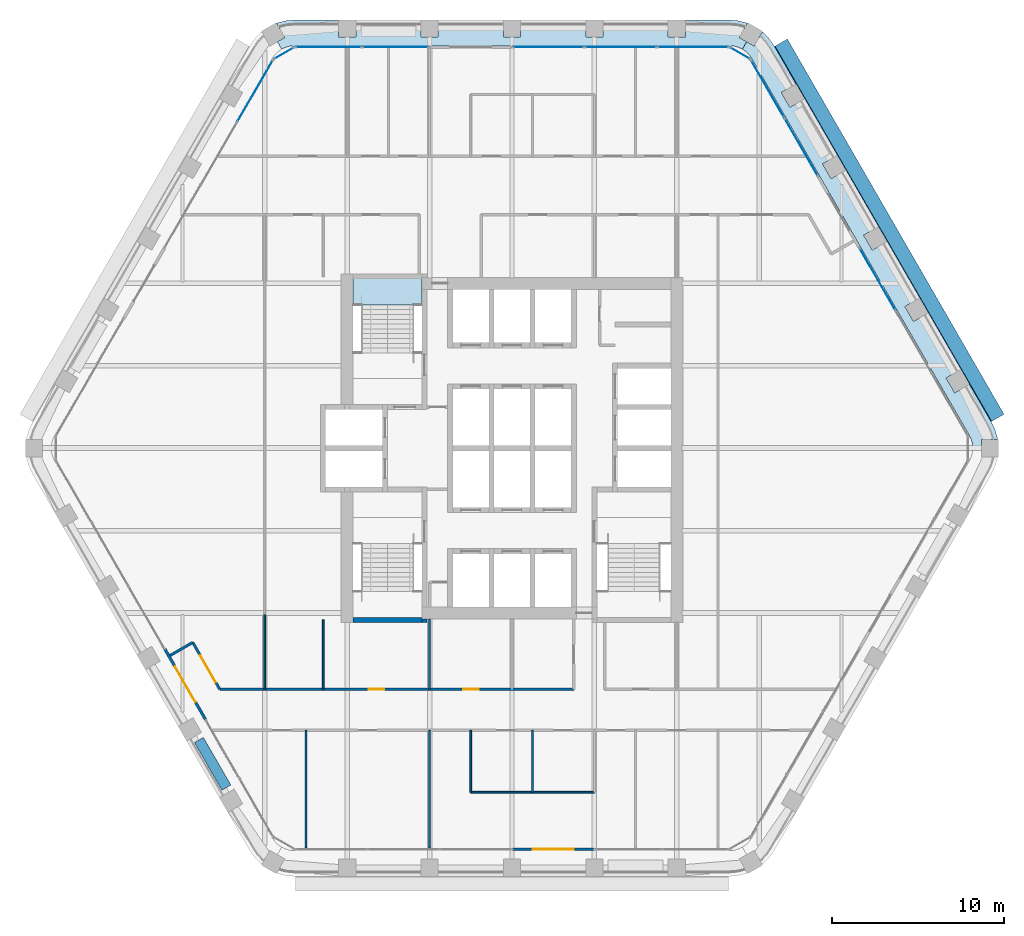
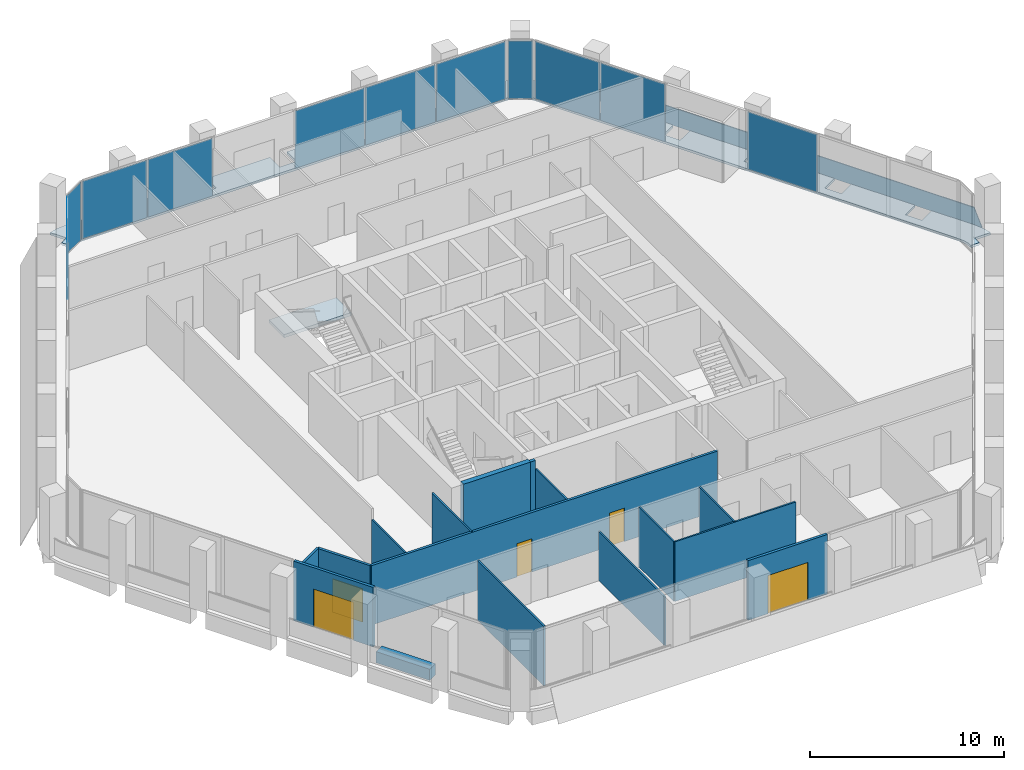
# One storey, part 8 of 15: 16 walls, 12 plates, 5 doors, 3 slabs, 5 openings, 8 elements without a shape of their own.
"""IFC4 building model written with IfcOpenShell, lengths in metres."""

from ifc_helpers import new_model, si_unit, direction, frame, frame_2d, origin, origin_2d, place, context, subcontext, project, spatial, polyline, rectangle, outline, extrude, material, layer, layer_set, type_object, element, fill, aggregate, save


model = new_model("IFC4")

# Units and contexts
model_context = context("Model", 3, precision=1e-05, world=origin(), true_north=direction((0.0, 1.0)))
body_context = subcontext(model_context, "Body", "Model", "MODEL_VIEW")
ifc_project = project(units=[si_unit("LENGTHUNIT", "METRE"), si_unit("AREAUNIT", "SQUARE_METRE"), si_unit("VOLUMEUNIT", "CUBIC_METRE"), si_unit("PLANEANGLEUNIT", "RADIAN"), si_unit("MASSUNIT", "GRAM", prefix="KILO")], contexts=[model_context])

# Site, building, storey
site_placement = place(None, origin())
site = spatial("IfcSite", under=ifc_project, at=site_placement, CompositionType="ELEMENT")
building_placement = place(site_placement, origin())
building = spatial("IfcBuilding", under=site, at=building_placement, Name="Kolab Exchange Tower", CompositionType="ELEMENT")
storey_placement = place(building_placement, frame((0.0, 0.0, 170.0)))
storey = spatial("IfcBuildingStorey", under=building, at=storey_placement, Name="L35", CompositionType="ELEMENT", Elevation=170.0)

# Slabs
ifc_material_1 = material(Name="Concrete C35/45", Category="concrete")
ifc_layer_1 = layer(ifc_material_1, 0.14990234375)
ifc_layer_set_1 = layer_set([ifc_layer_1], Name="Concrete C35/45")
slab_type_1 = type_object("IfcSlabType", Name="LOGGIA SLAB 150", PredefinedType="FLOOR", material=ifc_layer_set_1)
slab_1_placement = place(storey_placement, frame((0.0, 0.0, -0.14990234375)))
element("IfcSlab", 1, at=slab_1_placement, inside=storey, type_object=slab_type_1, Name="slab/L35/loggia/0-0", PredefinedType="FLOOR", context=body_context, shape_type="SweptSolid", body=[
    extrude(outline(polyline([(13.41796875, 23.240478515625), (13.66796875, 23.673583984375), (13.23486328125, 23.923583984375), (13.713134765625, 24.751708984375), (13.694091796875, 24.760498046875), (13.18896484375, 24.89599609375), (12.66796875, 24.941650390625), (10.10009765625, 24.941650390625), (10.10009765625, 23.941650390625), (9.10009765625, 23.941650390625), (9.10009765625, 24.941650390625), (5.300048828125, 24.941650390625), (5.300048828125, 23.941650390625), (4.300048828125, 23.941650390625), (4.300048828125, 24.941650390625), (0.5, 24.941650390625), (0.5, 23.941650390625), (-0.5, 23.941650390625), (-0.5, 24.941650390625), (-4.300048828125, 24.941650390625), (-4.300048828125, 23.941650390625), (-5.300048828125, 23.941650390625), (-5.300048828125, 24.941650390625), (-9.10009765625, 24.941650390625), (-9.10009765625, 23.941650390625), (-10.10009765625, 23.941650390625), (-10.10009765625, 24.941650390625), (-12.66796875, 24.941650390625), (-13.18896484375, 24.89599609375), (-13.694091796875, 24.760498046875), (-13.713134765625, 24.751708984375), (-13.23486328125, 23.923583984375), (-13.66796875, 23.673583984375), (-13.41796875, 23.240478515625), (-13.180908203125, 23.35107421875), (-12.928466796875, 23.418701171875), (-12.66796875, 23.441650390625), (12.66796875, 23.441650390625), (12.928466796875, 23.418701171875), (13.180908203125, 23.35107421875), (13.41796875, 23.240478515625)])), origin(), (0.0, 0.0, 1.0), 0.14990234375),
])
slab_2_placement = place(storey_placement, frame((0.0, 0.0, -0.14990234375)))
element("IfcSlab", 2, at=slab_2_placement, inside=storey, type_object=slab_type_1, Name="slab/L35/loggia/1-0", PredefinedType="FLOOR", context=body_context, shape_type="SweptSolid", body=[
    extrude(outline(polyline([(26.8359375, 0.0), (27.3359375, 0.0), (27.3359375, 0.5), (28.292236328125, 0.5), (28.290283203125, 0.52099609375), (28.155029296875, 1.026123046875), (27.93408203125, 1.5), (26.64990234375, 3.723876953125), (25.783935546875, 3.223876953125), (25.283935546875, 4.08984375), (26.14990234375, 4.58984375), (24.25, 7.880859375), (23.384033203125, 7.380859375), (22.884033203125, 8.246826171875), (23.75, 8.746826171875), (21.85009765625, 12.037841796875), (20.98388671875, 11.537841796875), (20.48388671875, 12.40380859375), (21.35009765625, 12.90380859375), (19.449951171875, 16.194580078125), (18.583984375, 15.694580078125), (18.083984375, 16.560791015625), (18.949951171875, 17.060791015625), (17.050048828125, 20.3515625), (16.18408203125, 19.8515625), (15.68408203125, 20.717529296875), (16.550048828125, 21.217529296875), (15.26611328125, 23.441650390625), (14.966064453125, 23.869873046875), (14.59619140625, 24.23974609375), (14.5791015625, 24.251708984375), (14.10107421875, 23.423583984375), (13.66796875, 23.673583984375), (13.41796875, 23.240478515625), (13.632080078125, 23.090576171875), (13.81689453125, 22.90576171875), (13.967041015625, 22.691650390625), (26.635009765625, 0.75), (26.745361328125, 0.512939453125), (26.81298828125, 0.260498046875), (26.8359375, 0.0)])), origin(), (0.0, 0.0, 1.0), 0.14990234375),
])

# Plate
ifc_material_2 = material(Name="Laminated glass, clear", Category="glass")
ifc_layer_2 = layer(ifc_material_2, 0.0400390625)
ifc_layer_set_2 = layer_set([ifc_layer_2], Name="Laminated glass, clear")
plate_type_1 = type_object("IfcPlateType", Name="OUTER SKIN LAMINATED GLASS SHEET 40", PredefinedType="SHEET", material=ifc_layer_set_2)
plate_1_placement = place(storey_placement, frame((16.040283203125, 23.830810546875, -0.68310546875), z_axis=(0.784898656704, 0.453161865271, 0.422585402693), x_axis=(0.499999968995, -0.866025421685, 9.26315e-07)))
element("IfcPlate", 3, at=plate_1_placement, inside=storey, type_object=plate_type_1, Name="Outer skin", PredefinedType="SHEET", context=body_context, shape_type="SweptSolid", body=[
    extrude(outline(polyline([(0.0, 0.0), (25.23592824607872, 0.0), (25.235843279343595, -1.9612922777250177), (0.00012646525258337368, -1.961343862676479), (0.0, 0.0)])), origin(), (0.0, 0.0, -1.0), 0.0400390625),
])

# Stair, slab
ifc_material_3 = material(Name="Concrete C50/60", Category="concrete")
stair_type = type_object("IfcStairType", Name="STAIR ST1 RISER 177.3", PredefinedType="HALF_TURN_STAIR", material=ifc_material_3)
stair_placement = place(storey_placement, origin())
stair = element("IfcStair", 4, at=stair_placement, inside=storey, type_object=stair_type, Name="Stair 1", PredefinedType="HALF_TURN_STAIR")
ifc_layer_3 = layer(ifc_material_3, 0.199951171875)
ifc_layer_set_3 = layer_set([ifc_layer_3], Name="Concrete C50/60")
slab_type_2 = type_object("IfcSlabType", Name="STAIR LANDING 200", PredefinedType="LANDING", material=ifc_layer_set_3)
slab_3_placement = place(storey_placement, frame((0.0, 0.0, 1.75)))
slab_3 = element("IfcSlab", 5, at=slab_3_placement, type_object=slab_type_2, Name="ST1 landing 2", PredefinedType="LANDING", context=body_context, shape_type="SweptSolid", body=[
    extrude(outline(polyline([(-9.25, 8.35009765625), (-5.25, 8.35009765625), (-5.25, 9.909912109375), (-9.25, 9.909912109375), (-9.25, 8.35009765625)])), origin(), (0.0, 0.0, 1.0), 0.199951171875),
])
aggregate(stair, [slab_3])

# Curtain wall, plates
ifc_material_4 = material(Name="Aluminium EN AW-6063 T6", Category="aluminium")
curtain_wall_type = type_object("IfcCurtainWallType", Name="UNITISED UPPER MID ZONE CURTAIN WALL", PredefinedType="NOTDEFINED", material=ifc_material_4)
curtain_wall_1_placement = place(storey_placement, origin())
curtain_wall_1 = element("IfcCurtainWall", 6, at=curtain_wall_1_placement, inside=storey, type_object=curtain_wall_type, Name="cw/L35/F1-1", PredefinedType="NOTDEFINED")
ifc_material_5 = material(Name="Clear insulated glazing unit", Category="glass")
ifc_layer_4 = layer(ifc_material_5, 0.028076171875)
ifc_layer_set_4 = layer_set([ifc_layer_4], Name="Clear insulated glazing unit")
plate_type_2 = type_object("IfcPlateType", Name="UNITISED UPPER MID ZONE GLASS PANEL 28", PredefinedType="CURTAIN_PANEL", material=ifc_layer_set_4)
plate_2_placement = place(storey_placement, frame((-10.68603515625, 23.361572265625, 0.06005859375), z_axis=(0.0, 0.0, 1.0), x_axis=(1.0, 0.0, 0.0)))
plate_2 = element("IfcPlate", 7, at=plate_2_placement, type_object=plate_type_2, Name="CW3 panel 1.1", PredefinedType="CURTAIN_PANEL", context=body_context, shape_type="SweptSolid", body=[
    extrude(rectangle(XDim=3.843994140625, YDim=0.028076171875, at=origin_2d()), origin(), (0.0, 0.0, 1.0), 3.6298828125),
])
plate_3_placement = place(storey_placement, frame((-6.781982421875, 23.361572265625, 0.06005859375), z_axis=(0.0, 0.0, 1.0), x_axis=(1.0, 0.0, 0.0)))
plate_3 = element("IfcPlate", 8, at=plate_3_placement, type_object=plate_type_2, Name="CW3 panel 2.1", PredefinedType="CURTAIN_PANEL", context=body_context, shape_type="SweptSolid", body=[
    extrude(rectangle(XDim=3.843994140625, YDim=0.028076171875, at=origin_2d()), origin(), (0.0, 0.0, 1.0), 3.6298828125),
])
aggregate(curtain_wall_1, [plate_2, plate_3])

curtain_wall_2_placement = place(storey_placement, origin())
curtain_wall_2 = element("IfcCurtainWall", 9, at=curtain_wall_2_placement, inside=storey, type_object=curtain_wall_type, Name="cw/L35/F1-2", PredefinedType="NOTDEFINED")
plate_4_placement = place(storey_placement, frame((2.126220703125, 23.361572265625, 0.06005859375), z_axis=(0.0, 0.0, 1.0), x_axis=(1.0, 0.0, 0.0)))
plate_4 = element("IfcPlate", 10, at=plate_4_placement, type_object=plate_type_2, Name="CW3 panel 1.1", PredefinedType="CURTAIN_PANEL", context=body_context, shape_type="SweptSolid", body=[
    extrude(rectangle(XDim=4.132568359375, YDim=0.028076171875, at=origin_2d()), origin(), (0.0, 0.0, 1.0), 3.6298828125),
])
plate_5_placement = place(storey_placement, frame((6.333984375, 23.361572265625, 0.06005859375), z_axis=(0.0, 0.0, 1.0), x_axis=(1.0, 0.0, 0.0)))
plate_5 = element("IfcPlate", 11, at=plate_5_placement, type_object=plate_type_2, Name="CW3 panel 2.1", PredefinedType="CURTAIN_PANEL", context=body_context, shape_type="SweptSolid", body=[
    extrude(rectangle(XDim=4.16259765625, YDim=0.028076171875, at=origin_2d()), origin(), (0.0, 0.0, 1.0), 3.6298828125),
])
plate_6_placement = place(storey_placement, frame((10.54150390625, 23.361572265625, 0.06005859375), z_axis=(0.0, 0.0, 1.0), x_axis=(1.0, 0.0, 0.0)))
plate_6 = element("IfcPlate", 12, at=plate_6_placement, type_object=plate_type_2, Name="CW3 panel 3.1", PredefinedType="CURTAIN_PANEL", context=body_context, shape_type="SweptSolid", body=[
    extrude(rectangle(XDim=4.132568359375, YDim=0.028076171875, at=origin_2d()), origin(), (0.0, 0.0, 1.0), 3.6298828125),
])
aggregate(curtain_wall_2, [plate_4, plate_5, plate_6])

curtain_wall_3_placement = place(storey_placement, origin())
curtain_wall_3 = element("IfcCurtainWall", 13, at=curtain_wall_3_placement, inside=storey, type_object=curtain_wall_type, Name="cw/L35/F2-1", PredefinedType="NOTDEFINED")
plate_7_placement = place(storey_placement, frame((14.888671875, 20.93505859375, 0.06005859375), z_axis=(0.0, 0.0, 1.0), x_axis=(0.500000031681, -0.866025385493, 0.0)))
plate_7 = element("IfcPlate", 14, at=plate_7_placement, type_object=plate_type_2, Name="CW3 panel 1.1", PredefinedType="CURTAIN_PANEL", context=body_context, shape_type="SweptSolid", body=[
    extrude(rectangle(XDim=3.843994140625, YDim=0.028076171875, at=origin_2d()), origin(), (0.0, 0.0, 1.0), 3.6298828125),
])
plate_8_placement = place(storey_placement, frame((16.840576171875, 17.55419921875, 0.06005859375), z_axis=(0.0, 0.0, 1.0), x_axis=(0.500000031681, -0.866025385493, 0.0)))
plate_8 = element("IfcPlate", 15, at=plate_8_placement, type_object=plate_type_2, Name="CW3 panel 2.1", PredefinedType="CURTAIN_PANEL", context=body_context, shape_type="SweptSolid", body=[
    extrude(rectangle(XDim=3.843994140625, YDim=0.028076171875, at=origin_2d()), origin(), (0.0, 0.0, 1.0), 3.6298828125),
])
aggregate(curtain_wall_3, [plate_7, plate_8])

# Curtain wall, plate
curtain_wall_4_placement = place(storey_placement, origin())
curtain_wall_4 = element("IfcCurtainWall", 16, at=curtain_wall_4_placement, inside=storey, type_object=curtain_wall_type, Name="cw/L35/F2-2", PredefinedType="NOTDEFINED")
plate_9_placement = place(storey_placement, frame((21.294921875, 9.83935546875, 0.06005859375), z_axis=(0.0, 0.0, 1.0), x_axis=(0.499999958358, -0.866025427826, 0.0)))
plate_9 = element("IfcPlate", 17, at=plate_9_placement, type_object=plate_type_2, Name="CW3 panel 1.1", PredefinedType="CURTAIN_PANEL", context=body_context, shape_type="SweptSolid", body=[
    extrude(rectangle(XDim=4.132568359375, YDim=0.028076171875, at=origin_2d()), origin(), (0.0, 0.0, 1.0), 3.6298828125),
])
aggregate(curtain_wall_4, [plate_9])

curtain_wall_5_placement = place(storey_placement, origin())
curtain_wall_5 = element("IfcCurtainWall", 18, at=curtain_wall_5_placement, inside=storey, type_object=curtain_wall_type, Name="cw/L35/F6-2", PredefinedType="NOTDEFINED")
plate_10_placement = place(storey_placement, frame((-14.9609375, 20.81005859375, 0.06005859375), z_axis=(0.0, 0.0, 1.0), x_axis=(0.500000017564, 0.866025393644, 0.0)))
plate_10 = element("IfcPlate", 19, at=plate_10_placement, type_object=plate_type_2, Name="CW3 panel 3.1", PredefinedType="CURTAIN_PANEL", context=body_context, shape_type="SweptSolid", body=[
    extrude(rectangle(XDim=4.132568359375, YDim=0.028076171875, at=origin_2d()), origin(), (0.0, 0.0, 1.0), 3.6298828125),
])
aggregate(curtain_wall_5, [plate_10])

curtain_wall_6_placement = place(storey_placement, origin())
curtain_wall_6 = element("IfcCurtainWall", 20, at=curtain_wall_6_placement, inside=storey, type_object=curtain_wall_type, Name="cw/L35/F1F2-corner", PredefinedType="NOTDEFINED")
plate_11_placement = place(storey_placement, frame((13.28271484375, 23.006591796875, 0.06005859375), z_axis=(0.0, 0.0, 1.0), x_axis=(0.866025390869, -0.50000002237, 0.0)))
plate_11 = element("IfcPlate", 21, at=plate_11_placement, type_object=plate_type_2, Name="CW3 panel 1.1", PredefinedType="CURTAIN_PANEL", context=body_context, shape_type="SweptSolid", body=[
    extrude(rectangle(XDim=1.300048828125, YDim=0.028076171875, at=origin_2d()), origin(), (0.0, 0.0, 1.0), 3.6298828125),
])
aggregate(curtain_wall_6, [plate_11])

curtain_wall_7_placement = place(storey_placement, origin())
curtain_wall_7 = element("IfcCurtainWall", 22, at=curtain_wall_7_placement, inside=storey, type_object=curtain_wall_type, Name="cw/L35/F6F1-corner", PredefinedType="NOTDEFINED")
plate_12_placement = place(storey_placement, frame((-13.28271484375, 23.006591796875, 0.06005859375), z_axis=(0.0, 0.0, 1.0), x_axis=(0.866025390869, 0.50000002237, 0.0)))
plate_12 = element("IfcPlate", 23, at=plate_12_placement, type_object=plate_type_2, Name="CW3 panel 1.1", PredefinedType="CURTAIN_PANEL", context=body_context, shape_type="SweptSolid", body=[
    extrude(rectangle(XDim=1.300048828125, YDim=0.028076171875, at=origin_2d()), origin(), (0.0, 0.0, 1.0), 3.6298828125),
])
aggregate(curtain_wall_7, [plate_12])

# Wall, opening, door
ifc_layer_5 = layer(ifc_material_4, 0.159912109375)
ifc_layer_set_5 = layer_set([ifc_layer_5], Name="Aluminium EN AW-6063 T6")
wall_type_1 = type_object("IfcWallType", Name="DOOR SURROUND WALL 160 ALUMINIUM FRAMED", PredefinedType="PARTITIONING", material=ifc_layer_set_5)
wall_1_placement = place(storey_placement, frame((4.77001953125, -23.361572265625, 0.0), z_axis=(0.0, 0.0, 1.0), x_axis=(-1.0, 0.0, 0.0)))
wall_1 = element("IfcWall", 24, at=wall_1_placement, inside=storey, type_object=wall_type_1, Name="Door surround wall", PredefinedType="PARTITIONING", context=body_context, shape_type="SweptSolid", body=[
    extrude(rectangle(XDim=4.739990234375, YDim=0.159912109375, at=frame_2d((2.3701171875, 0.0))), origin(), (0.0, 0.0, 1.0), 3.75),
])
opening_1_placement = place(wall_1_placement, frame((1.169921875, 0.0, 0.0)))
opening_1 = element("IfcOpeningElement", 25, at=opening_1_placement, cuts=wall_1, Name="Opening GD1-067", PredefinedType="OPENING", context=body_context, shape_type="SweptSolid", body=[
    extrude(rectangle(XDim=2.39990234375, YDim=2.39990234375, at=frame_2d((1.199951171875, 1.199951171875))), frame((0.0, 0.08984375, 0.0), z_axis=(0.0, -1.0, 0.0), x_axis=(1.0, 0.0, 0.0)), (0.0, 0.0, 1.0), 0.179931640625),
])
door_type_1 = type_object("IfcDoorType", Name="LOGGIA SLIDING GLASS DOOR 2400 X 2400", OperationType="DOUBLE_DOOR_SINGLE_SWING", PredefinedType="DOOR", material=ifc_material_4)
door_1_placement = place(opening_1_placement, origin())
door_1 = element("IfcDoor", 26, at=door_1_placement, inside=storey, type_object=door_type_1, Name="Loggia door", OperationType="DOUBLE_DOOR_SLIDING", OverallHeight=2.39990234375, OverallWidth=2.39990234375, PredefinedType="DOOR", context=body_context, shape_type="SweptSolid", body=[
    extrude(rectangle(XDim=2.39990234375, YDim=2.39990234375, at=frame_2d((1.199951171875, 1.199951171875))), frame((0.0, 0.02490234375, 0.0), z_axis=(0.0, -1.0, 0.0), x_axis=(1.0, 0.0, 0.0)), (0.0, 0.0, 1.0), 0.050048828125),
])
fill(opening_1, door_1)

wall_2_placement = place(storey_placement, frame((-17.8466796875, -15.811767578125, 0.0), z_axis=(0.0, 0.0, 1.0), x_axis=(-0.5000167099, 0.866015756104, 0.0)))
wall_2 = element("IfcWall", 27, at=wall_2_placement, inside=storey, type_object=wall_type_1, Name="Door surround wall", PredefinedType="PARTITIONING", context=body_context, shape_type="SweptSolid", body=[
    extrude(rectangle(XDim=4.739990234375, YDim=0.159912109375, at=frame_2d((2.3701171875, 0.0))), origin(), (0.0, 0.0, 1.0), 3.75),
])
opening_2_placement = place(wall_2_placement, frame((1.169921875, 0.0, 0.0)))
opening_2 = element("IfcOpeningElement", 28, at=opening_2_placement, cuts=wall_2, Name="Opening GD1-068", PredefinedType="OPENING", context=body_context, shape_type="SweptSolid", body=[
    extrude(rectangle(XDim=2.39990234375, YDim=2.39990234375, at=frame_2d((1.199951171875, 1.199951171875))), frame((0.0, 0.08984375, 0.0), z_axis=(0.0, -1.0, 0.0), x_axis=(1.0, 0.0, 0.0)), (0.0, 0.0, 1.0), 0.179931640625),
])
door_2_placement = place(opening_2_placement, origin())
door_2 = element("IfcDoor", 29, at=door_2_placement, inside=storey, type_object=door_type_1, Name="Loggia door", OperationType="DOUBLE_DOOR_SLIDING", OverallHeight=2.39990234375, OverallWidth=2.39990234375, PredefinedType="DOOR", context=body_context, shape_type="SweptSolid", body=[
    extrude(rectangle(XDim=2.39990234375, YDim=2.39990234375, at=frame_2d((1.199951171875, 1.199951171875))), frame((0.0, 0.02490234375, 0.0), z_axis=(0.0, -1.0, 0.0), x_axis=(1.0, 0.0, 0.0)), (0.0, 0.0, 1.0), 0.050048828125),
])
fill(opening_2, door_2)

# Walls
ifc_material_6 = material(Name="Gypsum board", Category="gypsum")
ifc_layer_6 = layer(ifc_material_6, 0.10009765625)
ifc_layer_set_6 = layer_set([ifc_layer_6], Name="Gypsum board")
wall_type_2 = type_object("IfcWallType", Name="PARTITION 100", PredefinedType="PARTITIONING", material=ifc_layer_set_6)
for number, where, z_axis, x_axis, name in (
    (30, (1.199951171875, -20.04150390625, 0.0), (0.0, 0.0, 1.0), (0.0, 1.0, 0.0), "Partition 013"),
    (31, (-2.39990234375, -20.04150390625, 0.0), (0.0, 0.0, 1.0), (0.0, 1.0, 0.0), "Partition 017"),
):
    element("IfcWall", number, at=place(storey_placement, frame(where, z_axis=z_axis, x_axis=x_axis)), inside=storey, type_object=wall_type_2, Name=name, PredefinedType="PARTITIONING", context=body_context, shape_type="SweptSolid", body=[
        extrude(rectangle(XDim=3.60009765625, YDim=0.10009765625, at=frame_2d((1.800048828125, 0.0))), origin(), (0.0, 0.0, 1.0), 3.75),
    ])
wall_3_placement = place(storey_placement, frame((-4.800048828125, -23.271484375, 0.0), z_axis=(0.0, 0.0, 1.0), x_axis=(0.0, 1.0, 0.0)))
element("IfcWall", 32, at=wall_3_placement, inside=storey, type_object=wall_type_2, Name="Partition 019", PredefinedType="PARTITIONING", context=body_context, shape_type="SweptSolid", body=[
    extrude(rectangle(XDim=6.830078125, YDim=0.10009765625, at=frame_2d((3.4150390625, 0.0))), origin(), (0.0, 0.0, 1.0), 3.06591796875),
])
wall_4_placement = place(storey_placement, frame((-4.800048828125, -14.04150390625, 0.0), z_axis=(0.0, 0.0, 1.0), x_axis=(0.0, 1.0, 0.0)))
element("IfcWall", 33, at=wall_4_placement, inside=storey, type_object=wall_type_2, Name="Partition 020", PredefinedType="PARTITIONING", context=body_context, shape_type="SweptSolid", body=[
    extrude(rectangle(XDim=4.091552734375, YDim=0.10009765625, at=frame_2d((2.0458984375, 0.0))), origin(), (0.0, 0.0, 1.0), 3.06591796875),
])
wall_5_placement = place(storey_placement, frame((-11.0, -14.04150390625, 0.0), z_axis=(0.0, 0.0, 1.0), x_axis=(0.0, 1.0, 0.0)))
element("IfcWall", 34, at=wall_5_placement, inside=storey, type_object=wall_type_2, Name="Partition 026", PredefinedType="PARTITIONING", context=body_context, shape_type="SweptSolid", body=[
    extrude(rectangle(XDim=4.04150390625, YDim=0.10009765625, at=frame_2d((2.020751953125, 0.0))), origin(), (0.0, 0.0, 1.0), 3.75),
])
wall_6_placement = place(storey_placement, frame((-12.0, -23.271484375, 0.0), z_axis=(0.0, 0.0, 1.0), x_axis=(0.0, 1.0, 0.0)))
element("IfcWall", 35, at=wall_6_placement, inside=storey, type_object=wall_type_2, Name="Partition 028", PredefinedType="PARTITIONING", context=body_context, shape_type="SweptSolid", body=[
    extrude(rectangle(XDim=6.830078125, YDim=0.10009765625, at=frame_2d((3.4150390625, 0.0))), origin(), (0.0, 0.0, 1.0), 3.75),
])
wall_7_placement = place(storey_placement, frame((-14.39990234375, -14.04150390625, 0.0), z_axis=(0.0, 0.0, 1.0), x_axis=(0.0, 1.0, 0.0)))
element("IfcWall", 36, at=wall_7_placement, inside=storey, type_object=wall_type_2, Name="Partition 029", PredefinedType="PARTITIONING", context=body_context, shape_type="SweptSolid", body=[
    extrude(rectangle(XDim=4.347900390625, YDim=0.10009765625, at=frame_2d((2.173828125, 0.0))), origin(), (0.0, 0.0, 1.0), 3.06591796875),
])
wall_8_placement = place(storey_placement, frame((-2.39990234375, -20.04150390625, 0.0), z_axis=(0.0, 0.0, 1.0), x_axis=(1.0, 0.0, 0.0)))
element("IfcWall", 37, at=wall_8_placement, inside=storey, type_object=wall_type_2, Name="Partition 034", PredefinedType="PARTITIONING", context=body_context, shape_type="SweptSolid", body=[
    extrude(rectangle(XDim=7.199951171875, YDim=0.10009765625, at=frame_2d((3.60009765625, 0.0))), origin(), (0.0, 0.0, 1.0), 3.75),
])

# Wall, opening, door
ifc_layer_7 = layer(ifc_material_6, 0.14990234375)
ifc_layer_set_7 = layer_set([ifc_layer_7], Name="Gypsum board")
wall_type_3 = type_object("IfcWallType", Name="PARTITION 150 FIRE-RATED", PredefinedType="PARTITIONING", material=ifc_layer_set_7)
wall_9_placement = place(storey_placement, frame((-18.595947265625, -11.313720703125, 0.0), z_axis=(0.0, 0.0, 1.0), x_axis=(0.499957296199, -0.866050057432, 0.0)))
wall_9 = element("IfcWall", 38, at=wall_9_placement, inside=storey, type_object=wall_type_3, Name="Partition 030", PredefinedType="PARTITIONING", context=body_context, shape_type="SweptSolid", body=[
    extrude(rectangle(XDim=3.149658203125, YDim=0.14990234375, at=frame_2d((1.57470703125, 0.0))), origin(), (0.0, 0.0, 1.0), 3.75),
])
opening_3_placement = place(wall_9_placement, frame((0.88720703125, 0.0, 0.0)))
opening_3 = element("IfcOpeningElement", 39, at=opening_3_placement, cuts=wall_9, Name="Opening D2-051", PredefinedType="OPENING", context=body_context, shape_type="SweptSolid", body=[
    extrude(rectangle(XDim=1.800048828125, YDim=2.10009765625, at=frame_2d((0.89990234375, 1.050048828125))), frame((0.0, 0.0849609375, 0.0), z_axis=(0.0, -1.0, 0.0), x_axis=(1.0, 0.0, 0.0)), (0.0, 0.0, 1.0), 0.169921875),
])
ifc_material_7 = material(Name="Steel S235", Category="steel")
door_type_2 = type_object("IfcDoorType", Name="DOUBLE DOOR 1800 FD60", OperationType="DOUBLE_DOOR_SINGLE_SWING", PredefinedType="DOOR", material=ifc_material_7)
door_3_placement = place(opening_3_placement, origin())
door_3 = element("IfcDoor", 40, at=door_3_placement, inside=storey, type_object=door_type_2, Name="Door L35-055", OperationType="SINGLE_SWING_RIGHT", OverallHeight=2.10009765625, OverallWidth=1.800048828125, PredefinedType="DOOR", context=body_context, shape_type="SweptSolid", body=[
    extrude(rectangle(XDim=1.800048828125, YDim=2.10009765625, at=frame_2d((0.89990234375, 1.050048828125))), frame((0.0, 0.02490234375, 0.0), z_axis=(0.0, -1.0, 0.0), x_axis=(1.0, 0.0, 0.0)), (0.0, 0.0, 1.0), 0.050048828125),
])
fill(opening_3, door_3)

# Wall
wall_10_placement = place(storey_placement, frame((-19.912353515625, -12.07373046875, 0.0), z_axis=(0.0, 0.0, 1.0), x_axis=(0.866030456496, 0.499991248344, 0.0)))
element("IfcWall", 41, at=wall_10_placement, inside=storey, type_object=wall_type_3, Name="Partition 032", PredefinedType="PARTITIONING", context=body_context, shape_type="SweptSolid", body=[
    extrude(rectangle(XDim=1.52001953125, YDim=0.14990234375, at=frame_2d((0.760009765625, 0.0))), origin(), (0.0, 0.0, 1.0), 3.75),
])

# Wall, openings, doors
wall_11_placement = place(storey_placement, frame((-17.021240234375, -14.04150390625, 0.0), z_axis=(0.0, 0.0, 1.0), x_axis=(1.0, 0.0, 0.0)))
wall_11 = element("IfcWall", 42, at=wall_11_placement, inside=storey, type_object=wall_type_3, Name="Partition 036", PredefinedType="PARTITIONING", context=body_context, shape_type="SweptSolid", body=[
    extrude(rectangle(XDim=20.621337890625, YDim=0.14990234375, at=frame_2d((10.310546875, 0.0))), origin(), (0.0, 0.0, 1.0), 3.75),
])
opening_4_placement = place(wall_11_placement, frame((8.671142578125, 0.0, 0.0)))
opening_4 = element("IfcOpeningElement", 43, at=opening_4_placement, cuts=wall_11, Name="Opening D3-052", PredefinedType="OPENING", context=body_context, shape_type="SweptSolid", body=[
    extrude(rectangle(XDim=0.89990234375, YDim=2.10009765625, at=frame_2d((0.449951171875, 1.050048828125))), frame((0.0, 0.0849609375, 0.0), z_axis=(0.0, -1.0, 0.0), x_axis=(1.0, 0.0, 0.0)), (0.0, 0.0, 1.0), 0.169921875),
])
opening_5_placement = place(wall_11_placement, frame((14.171142578125, 0.0, 0.0)))
opening_5 = element("IfcOpeningElement", 44, at=opening_5_placement, cuts=wall_11, Name="Opening D3-053", PredefinedType="OPENING", context=body_context, shape_type="SweptSolid", body=[
    extrude(rectangle(XDim=0.89990234375, YDim=2.10009765625, at=frame_2d((0.449951171875, 1.050048828125))), frame((0.0, 0.0849609375, 0.0), z_axis=(0.0, -1.0, 0.0), x_axis=(1.0, 0.0, 0.0)), (0.0, 0.0, 1.0), 0.169921875),
])
door_type_3 = type_object("IfcDoorType", Name="FLUSH DOOR 900 FD60", OperationType="SINGLE_SWING_LEFT", PredefinedType="DOOR", material=ifc_material_7)
door_4_placement = place(opening_4_placement, origin())
door_4 = element("IfcDoor", 45, at=door_4_placement, inside=storey, type_object=door_type_3, Name="Door L35-035", OperationType="SINGLE_SWING_LEFT", OverallHeight=2.10009765625, OverallWidth=0.89990234375, PredefinedType="DOOR", context=body_context, shape_type="SweptSolid", body=[
    extrude(rectangle(XDim=0.89990234375, YDim=2.10009765625, at=frame_2d((0.449951171875, 1.050048828125))), frame((0.0, 0.02490234375, 0.0), z_axis=(0.0, -1.0, 0.0), x_axis=(1.0, 0.0, 0.0)), (0.0, 0.0, 1.0), 0.050048828125),
])
fill(opening_4, door_4)
door_5_placement = place(opening_5_placement, origin())
door_5 = element("IfcDoor", 46, at=door_5_placement, inside=storey, type_object=door_type_3, Name="Door L35-036", OperationType="SINGLE_SWING_LEFT", OverallHeight=2.10009765625, OverallWidth=0.89990234375, PredefinedType="DOOR", context=body_context, shape_type="SweptSolid", body=[
    extrude(rectangle(XDim=0.89990234375, YDim=2.10009765625, at=frame_2d((0.449951171875, 1.050048828125))), frame((0.0, 0.02490234375, 0.0), z_axis=(0.0, -1.0, 0.0), x_axis=(1.0, 0.0, 0.0)), (0.0, 0.0, 1.0), 0.050048828125),
])
fill(opening_5, door_5)

# Walls
ifc_material_8 = material(Name="Granite facing", Category="masonry")
ifc_layer_8 = layer(ifc_material_8, 0.0400390625)
ifc_material_9 = material(Name="Concrete C40/50 precast", Category="concrete")
ifc_layer_9 = layer(ifc_material_9, 0.56005859375)
ifc_layer_set_8 = layer_set([ifc_layer_8, ifc_layer_9], Name="Concrete C40/50 precast")
wall_type_4 = type_object("IfcWallType", Name="PLANTER BOX 600 X 700 SOIL DEPTH 550", PredefinedType="USERDEFINED", material=ifc_layer_set_8)
wall_12_placement = place(storey_placement, frame((-16.636962890625, -19.766845703125, 0.0), z_axis=(0.0, 0.0, 1.0), x_axis=(-0.500028443584, 0.866008981251, 0.0)))
element("IfcWall", 47, at=wall_12_placement, inside=storey, type_object=wall_type_4, Name="Planter", ObjectType="PLANTER", PredefinedType="USERDEFINED", context=body_context, shape_type="SweptSolid", body=[
    extrude(rectangle(XDim=3.199951171875, YDim=0.60009765625, at=frame_2d((1.60009765625, 0.0))), origin(), (0.0, 0.0, 1.0), 0.699951171875),
])
ifc_layer_10 = layer(ifc_material_3, 0.300048828125)
ifc_layer_set_9 = layer_set([ifc_layer_10], Name="Concrete C50/60")
wall_type_5 = type_object("IfcWallType", Name="STAIR ENCLOSURE WALL 300 C50/60", PredefinedType="STANDARD", material=ifc_layer_set_9)
wall_13_placement = place(storey_placement, frame((-9.25, -10.0, -0.14990234375), z_axis=(0.0, 0.0, 1.0), x_axis=(1.0, 0.0, 0.0)))
element("IfcWall", 48, at=wall_13_placement, inside=storey, type_object=wall_type_5, Name="wall/L35/core/000", PredefinedType="STANDARD", context=body_context, shape_type="SweptSolid", body=[
    extrude(rectangle(XDim=4.0, YDim=0.300048828125, at=frame_2d((2.0, 0.0))), origin(), (0.0, 0.0, 1.0), 3.89990234375),
])
wall_14_placement = place(storey_placement, frame((-5.10009765625, -10.14990234375, -0.14990234375), z_axis=(0.0, 0.0, 1.0), x_axis=(0.0, 1.0, 0.0)))
element("IfcWall", 49, at=wall_14_placement, inside=storey, type_object=wall_type_5, Name="wall/L35/core/039", PredefinedType="STANDARD", context=body_context, shape_type="SweptSolid", body=[
    extrude(rectangle(XDim=0.199951171875, YDim=0.300048828125, at=frame_2d((0.10009765625, 0.0))), origin(), (0.0, 0.0, 1.0), 3.89990234375),
])

save(model, "model.ifc")
